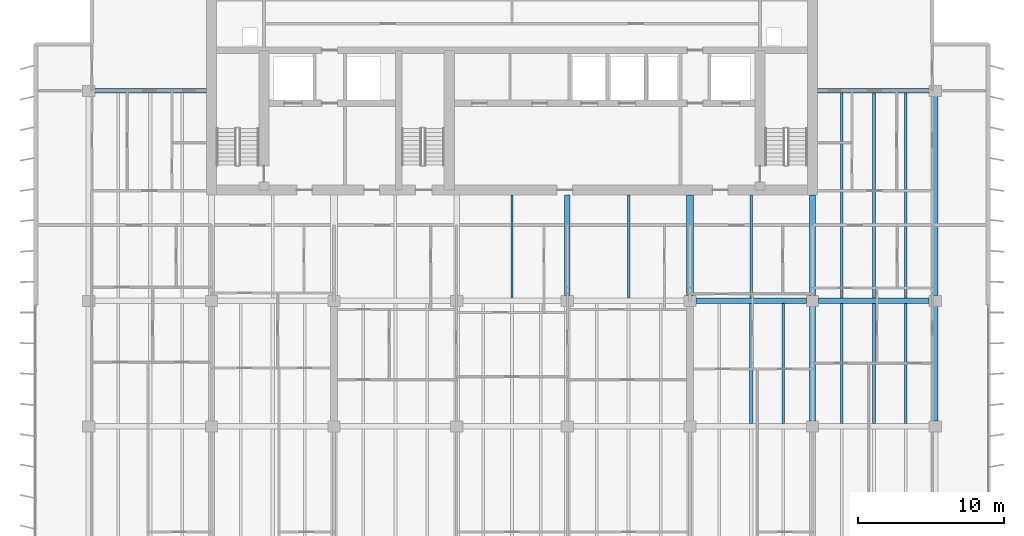
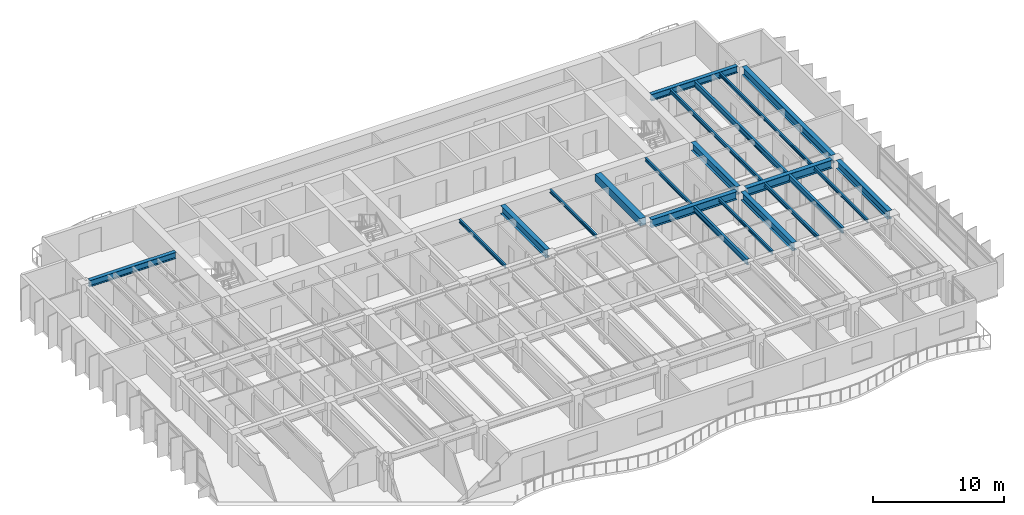
# One storey, part 5 of 18: 21 beams.
"""IFC4 building model written with IfcOpenShell, lengths in metres."""

from ifc_helpers import new_model, si_unit, direction, frame, origin, origin_2d, place, context, subcontext, project, spatial, rectangle, i_section, extrude, material, material_profile, profile_set, type_object, element, save


model = new_model("IFC4")

# Units and contexts
model_context = context("Model", 3, precision=1e-05, world=origin(), true_north=direction((0.0, 1.0)))
body_context = subcontext(model_context, "Body", "Model", "MODEL_VIEW")
ifc_project = project(units=[si_unit("LENGTHUNIT", "METRE"), si_unit("AREAUNIT", "SQUARE_METRE"), si_unit("VOLUMEUNIT", "CUBIC_METRE"), si_unit("PLANEANGLEUNIT", "RADIAN"), si_unit("MASSUNIT", "GRAM", prefix="KILO")], contexts=[model_context])

# Site, building, storey
site_placement = place(None, origin())
site = spatial("IfcSite", under=ifc_project, at=site_placement, CompositionType="ELEMENT")
building_placement = place(site_placement, origin())
building = spatial("IfcBuilding", under=site, at=building_placement, Name="Caelmar Bay Residences", CompositionType="ELEMENT")
storey_placement = place(building_placement, frame((0.0, 0.0, 177.0)))
storey = spatial("IfcBuildingStorey", under=building, at=storey_placement, Name="L49", CompositionType="ELEMENT", Elevation=177.0)

# Beams
ifc_material_1 = material(Name="Steel ASTM A992 Grade 50", Category="steel")
ifc_material_profile_1 = material_profile(ifc_material_1, i_section(OverallWidth=0.381103515625, OverallDepth=0.77197265625, WebThickness=0.0166015625, FlangeThickness=0.027099609375, FilletRadius=0.0166015625, at=origin_2d()), Name="W30X173")
ifc_profile_set_1 = profile_set([ifc_material_profile_1], Name="Steel ASTM A992 Grade 50")
beam_type_1 = type_object("IfcBeamType", Name="BM-GRD-W30X173", PredefinedType="BEAM", material=ifc_profile_set_1)
for number, where, z_axis, x_axis, name in (
    (1, (51.514892578125, 29.39990234375, 2.6640625), (1.0, 0.0, 0.0), (0.0, 1.0, 0.0), "L49 East-West Girder Y=29.40 (51.1-59.5)"),
    (2, (59.9150390625, 29.39990234375, 2.6640625), (1.0, 0.0, 0.0), (0.0, 1.0, 0.0), "L49 East-West Girder Y=29.40 (59.5-67.9)"),
):
    element("IfcBeam", number, at=place(storey_placement, frame(where, z_axis=z_axis, x_axis=x_axis)), inside=storey, type_object=beam_type_1, Name=name, PredefinedType="BEAM", context=body_context, shape_type="SweptSolid", body=[
        extrude(i_section(OverallWidth=0.381103515625, OverallDepth=0.77197265625, WebThickness=0.0166015625, FlangeThickness=0.027099609375, FilletRadius=0.0166015625, at=origin_2d()), origin(), (0.0, 0.0, 1.0), 7.570068359375),
    ])
for number, where, z_axis, x_axis, name in (
    (3, (42.699951171875, 29.764892578125, 2.6640625), (0.0, 1.0, 0.0), (-1.0, 0.0, 0.0), "L49 Core Tie Girder X=42.70"),
    (4, (59.5, 29.764892578125, 2.6640625), (0.0, 1.0, 0.0), (-1.0, 0.0, 0.0), "L49 Core Tie Girder X=59.50"),
):
    element("IfcBeam", number, at=place(storey_placement, frame(where, z_axis=z_axis, x_axis=x_axis)), inside=storey, type_object=beam_type_1, Name=name, PredefinedType="BEAM", context=body_context, shape_type="SweptSolid", body=[
        extrude(i_section(OverallWidth=0.381103515625, OverallDepth=0.77197265625, WebThickness=0.0166015625, FlangeThickness=0.027099609375, FilletRadius=0.0166015625, at=origin_2d()), origin(), (0.0, 0.0, 1.0), 6.885009765625),
    ])
for number, where, z_axis, x_axis, name in (
    (5, (59.5, 21.1650390625, 2.6640625), (0.0, 1.0, 0.0), (-1.0, 0.0, 0.0), "L49 North-South Girder X=59.50 (20.8-29.4)"),
    (6, (67.89990234375, 21.1650390625, 2.6640625), (0.0, 1.0, 0.0), (-1.0, 0.0, 0.0), "L49 North-South Girder X=67.90 (20.8-29.4)"),
):
    element("IfcBeam", number, at=place(storey_placement, frame(where, z_axis=z_axis, x_axis=x_axis)), inside=storey, type_object=beam_type_1, Name=name, PredefinedType="BEAM", context=body_context, shape_type="SweptSolid", body=[
        extrude(i_section(OverallWidth=0.381103515625, OverallDepth=0.77197265625, WebThickness=0.0166015625, FlangeThickness=0.027099609375, FilletRadius=0.0166015625, at=origin_2d()), origin(), (0.0, 0.0, 1.0), 7.869873046875),
    ])
beam_1_placement = place(storey_placement, frame((67.89990234375, 29.764892578125, 2.6640625), z_axis=(0.0, 1.0, 0.0), x_axis=(-1.0, 0.0, 0.0)))
element("IfcBeam", 7, at=beam_1_placement, inside=storey, type_object=beam_type_1, Name="L49 North-South Girder X=67.90 (29.4-43.8)", PredefinedType="BEAM", context=body_context, shape_type="SweptSolid", body=[
    extrude(i_section(OverallWidth=0.381103515625, OverallDepth=0.77197265625, WebThickness=0.0166015625, FlangeThickness=0.027099609375, FilletRadius=0.0166015625, at=origin_2d()), origin(), (0.0, 0.0, 1.0), 13.670166015625),
])
ifc_material_profile_2 = material_profile(ifc_material_1, i_section(OverallWidth=0.1650390625, OverallDepth=0.31005859375, WebThickness=0.005859375, FlangeThickness=0.009765625, FilletRadius=0.007568359375, at=origin_2d()), Name="W12X26")
ifc_profile_set_2 = profile_set([ifc_material_profile_2], Name="Steel ASTM A992 Grade 50")
beam_type_2 = type_object("IfcBeamType", Name="BM-JST-W12X26", PredefinedType="JOIST", material=ifc_profile_set_2)
for number, where, z_axis, x_axis, name in (
    (8, (57.48388671875, 20.990478515625, 2.89501953125), (0.0, 1.0, 0.0), (-1.0, 0.0, 0.0), "L49 Composite Floor Joist 39"),
    (9, (65.884033203125, 20.990478515625, 2.89501953125), (0.0, 1.0, 0.0), (-1.0, 0.0, 0.0), "L49 Composite Floor Joist 42"),
):
    element("IfcBeam", number, at=place(storey_placement, frame(where, z_axis=z_axis, x_axis=x_axis)), inside=storey, type_object=beam_type_2, Name=name, PredefinedType="JOIST", context=body_context, shape_type="SweptSolid", body=[
        extrude(i_section(OverallWidth=0.1650390625, OverallDepth=0.31005859375, WebThickness=0.005859375, FlangeThickness=0.009765625, FilletRadius=0.007568359375, at=origin_2d()), origin(), (0.0, 0.0, 1.0), 8.218994140625),
    ])
for number, where, z_axis, x_axis, name in (
    (10, (38.89990234375, 29.590576171875, 2.89501953125), (0.0, 1.0, 0.0), (-1.0, 0.0, 0.0), "L49 Core-Band Composite Joist 45"),
    (11, (46.89990234375, 29.590576171875, 2.89501953125), (0.0, 1.0, 0.0), (-1.0, 0.0, 0.0), "L49 Core-Band Composite Joist 46"),
    (12, (55.300048828125, 29.590576171875, 2.89501953125), (0.0, 1.0, 0.0), (-1.0, 0.0, 0.0), "L49 Core-Band Composite Joist 47"),
):
    element("IfcBeam", number, at=place(storey_placement, frame(where, z_axis=z_axis, x_axis=x_axis)), inside=storey, type_object=beam_type_2, Name=name, PredefinedType="JOIST", context=body_context, shape_type="SweptSolid", body=[
        extrude(i_section(OverallWidth=0.1650390625, OverallDepth=0.31005859375, WebThickness=0.005859375, FlangeThickness=0.009765625, FilletRadius=0.007568359375, at=origin_2d()), origin(), (0.0, 0.0, 1.0), 7.059326171875),
    ])
beam_2_placement = place(storey_placement, frame((65.884033203125, 29.590576171875, 2.89501953125), z_axis=(0.0, 1.0, 0.0), x_axis=(-1.0, 0.0, 0.0)))
element("IfcBeam", 13, at=beam_2_placement, inside=storey, type_object=beam_type_2, Name="L49 Composite Floor Joist 53", PredefinedType="JOIST", context=body_context, shape_type="SweptSolid", body=[
    extrude(i_section(OverallWidth=0.1650390625, OverallDepth=0.31005859375, WebThickness=0.005859375, FlangeThickness=0.009765625, FilletRadius=0.007568359375, at=origin_2d()), origin(), (0.0, 0.0, 1.0), 14.046875),
])
ifc_material_profile_3 = material_profile(ifc_material_1, i_section(OverallWidth=0.1708984375, OverallDepth=0.35595703125, WebThickness=0.007080078125, FlangeThickness=0.01171875, FilletRadius=0.007568359375, at=origin_2d()), Name="W14X34")
ifc_profile_set_3 = profile_set([ifc_material_profile_3], Name="Steel ASTM A992 Grade 50")
beam_type_3 = type_object("IfcBeamType", Name="BM-JST-W14X34", PredefinedType="JOIST", material=ifc_profile_set_3)
beam_3_placement = place(storey_placement, frame((61.51611328125, 20.990478515625, 2.8720703125), z_axis=(0.0, 1.0, 0.0), x_axis=(-1.0, 0.0, 0.0)))
element("IfcBeam", 14, at=beam_3_placement, inside=storey, type_object=beam_type_3, Name="L49 Composite Floor Joist 40", PredefinedType="JOIST", context=body_context, shape_type="SweptSolid", body=[
    extrude(i_section(OverallWidth=0.1708984375, OverallDepth=0.35595703125, WebThickness=0.007080078125, FlangeThickness=0.01171875, FilletRadius=0.007568359375, at=origin_2d()), origin(), (0.0, 0.0, 1.0), 8.218994140625),
])
beam_4_placement = place(storey_placement, frame((61.51611328125, 29.590576171875, 2.8720703125), z_axis=(0.0, 1.0, 0.0), x_axis=(-1.0, 0.0, 0.0)))
element("IfcBeam", 15, at=beam_4_placement, inside=storey, type_object=beam_type_3, Name="L49 Composite Floor Joist 51", PredefinedType="JOIST", context=body_context, shape_type="SweptSolid", body=[
    extrude(i_section(OverallWidth=0.1708984375, OverallDepth=0.35595703125, WebThickness=0.007080078125, FlangeThickness=0.01171875, FilletRadius=0.007568359375, at=origin_2d()), origin(), (0.0, 0.0, 1.0), 14.046875),
])
ifc_material_profile_4 = material_profile(ifc_material_1, i_section(OverallWidth=0.2099609375, OverallDepth=0.535888671875, WebThickness=0.010986328125, FlangeThickness=0.017333984375, FilletRadius=0.0126953125, at=origin_2d()), Name="W21X68")
ifc_profile_set_4 = profile_set([ifc_material_profile_4], Name="Steel ASTM A992 Grade 50")
beam_type_4 = type_object("IfcBeamType", Name="BM-JST-W21X68", PredefinedType="JOIST", material=ifc_profile_set_4)
for number, where, z_axis, x_axis, name in (
    (16, (55.300048828125, 20.990478515625, 2.781982421875), (0.0, 1.0, 0.0), (-1.0, 0.0, 0.0), "L49 Composite Floor Joist 38"),
    (17, (63.699951171875, 20.990478515625, 2.781982421875), (0.0, 1.0, 0.0), (-1.0, 0.0, 0.0), "L49 Composite Floor Joist 41"),
):
    element("IfcBeam", number, at=place(storey_placement, frame(where, z_axis=z_axis, x_axis=x_axis)), inside=storey, type_object=beam_type_4, Name=name, PredefinedType="JOIST", context=body_context, shape_type="SweptSolid", body=[
        extrude(i_section(OverallWidth=0.2099609375, OverallDepth=0.535888671875, WebThickness=0.010986328125, FlangeThickness=0.017333984375, FilletRadius=0.0126953125, at=origin_2d()), origin(), (0.0, 0.0, 1.0), 8.218994140625),
    ])
beam_5_placement = place(storey_placement, frame((63.699951171875, 29.590576171875, 2.781982421875), z_axis=(0.0, 1.0, 0.0), x_axis=(-1.0, 0.0, 0.0)))
element("IfcBeam", 18, at=beam_5_placement, inside=storey, type_object=beam_type_4, Name="L49 Composite Floor Joist 52", PredefinedType="JOIST", context=body_context, shape_type="SweptSolid", body=[
    extrude(i_section(OverallWidth=0.2099609375, OverallDepth=0.535888671875, WebThickness=0.010986328125, FlangeThickness=0.017333984375, FilletRadius=0.0126953125, at=origin_2d()), origin(), (0.0, 0.0, 1.0), 14.046875),
])
ifc_material_2 = material(Name="Concrete f'c 55 MPa (8,000 psi)", Category="concrete")
ifc_material_profile_5 = material_profile(ifc_material_2, rectangle(XDim=0.5, YDim=0.699951171875, at=origin_2d()), Name="RC-BM-500X700")
ifc_profile_set_5 = profile_set([ifc_material_profile_5], Name="Concrete f'c 55 MPa (8,000 psi)")
beam_type_5 = type_object("IfcBeamType", Name="BM-RC-500X700", PredefinedType="LINTEL", material=ifc_profile_set_5)
beam_6_placement = place(storey_placement, frame((51.10009765625, 29.764892578125, 2.699951171875), z_axis=(0.0, 1.0, 0.0), x_axis=(-1.0, 0.0, 0.0)))
element("IfcBeam", 19, at=beam_6_placement, inside=storey, type_object=beam_type_5, Name="L49 Shear-Wall Corridor Coupling Lintel E8", PredefinedType="LINTEL", context=body_context, shape_type="SweptSolid", body=[
    extrude(rectangle(XDim=0.5, YDim=0.699951171875, at=origin_2d()), origin(), (0.0, 0.0, 1.0), 6.885009765625),
])
ifc_material_profile_6 = material_profile(ifc_material_1, i_section(OverallWidth=0.324951171875, OverallDepth=0.616943359375, WebThickness=0.013916015625, FlangeThickness=0.021484375, FilletRadius=0.0126953125, at=origin_2d()), Name="W24X117")
ifc_profile_set_6 = profile_set([ifc_material_profile_6], Name="Steel ASTM A992 Grade 50")
beam_type_6 = type_object("IfcBeamType", Name="BM-SPN-W24X117", PredefinedType="SPANDREL", material=ifc_profile_set_6)
for number, where, z_axis, x_axis, name in (
    (20, (10.31494140625, 43.800048828125, 2.741455078125), (1.0, 0.0, 0.0), (0.0, 1.0, 0.0), "L49 North-West Wing Core Tie Girder"),
    (21, (59.85009765625, 43.800048828125, 2.741455078125), (1.0, 0.0, 0.0), (0.0, 1.0, 0.0), "L49 North-East Wing Core Tie Girder"),
):
    element("IfcBeam", number, at=place(storey_placement, frame(where, z_axis=z_axis, x_axis=x_axis)), inside=storey, type_object=beam_type_6, Name=name, PredefinedType="SPANDREL", context=body_context, shape_type="SweptSolid", body=[
        extrude(i_section(OverallWidth=0.324951171875, OverallDepth=0.616943359375, WebThickness=0.013916015625, FlangeThickness=0.021484375, FilletRadius=0.0126953125, at=origin_2d()), origin(), (0.0, 0.0, 1.0), 7.635009765625),
    ])

save(model, "model.ifc")
